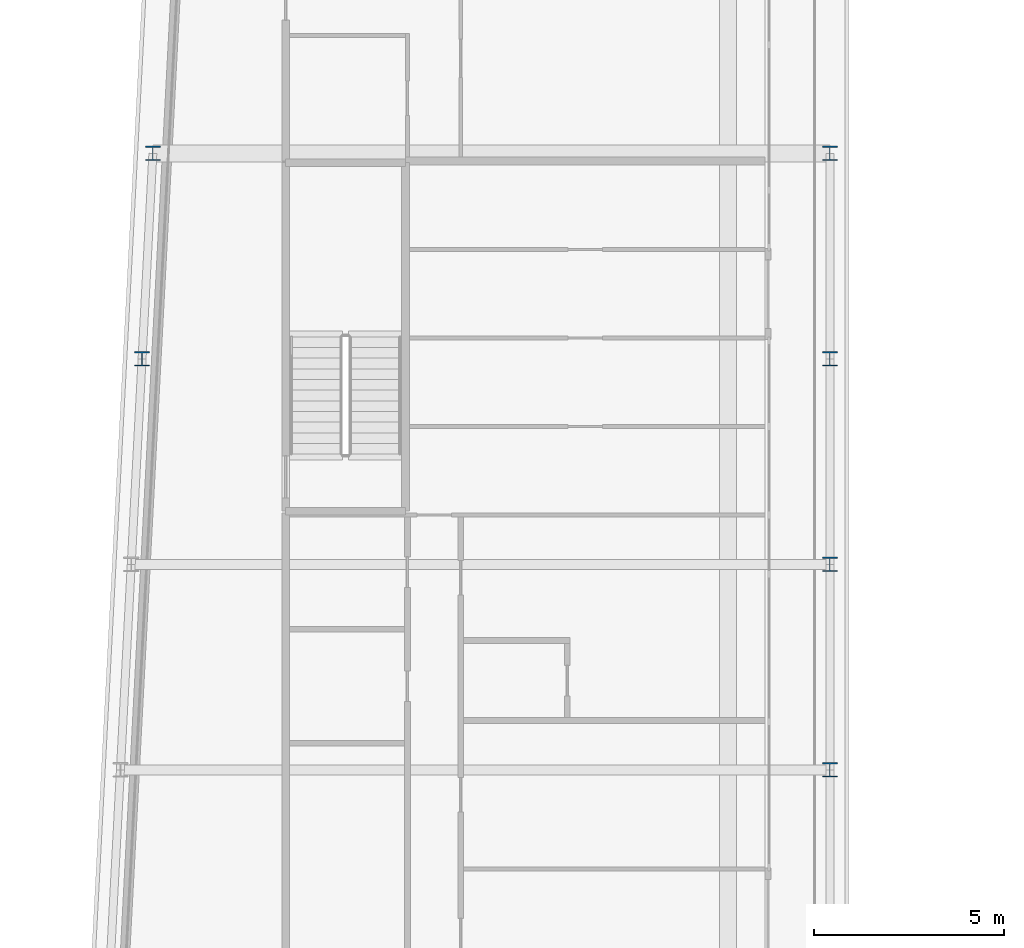
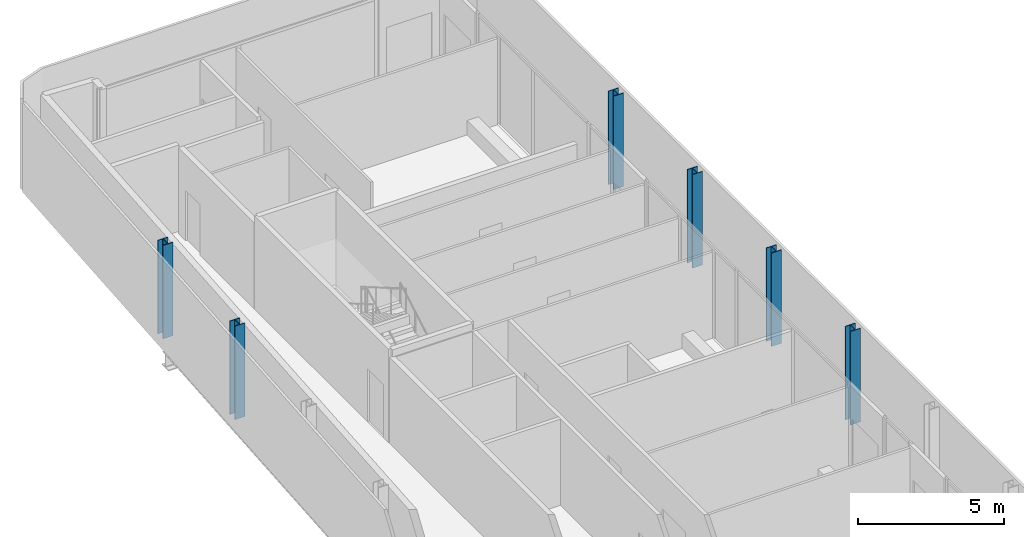
# One storey, part 4 of 21: 6 columns.
"""IFC4 building model written with IfcOpenShell, lengths in metres."""

from ifc_helpers import new_model, si_unit, direction, frame, origin, origin_2d, place, context, subcontext, project, spatial, i_section, extrude, material, material_profile, profile_set, type_object, element, save


model = new_model("IFC4")

# Units and contexts
model_context = context("Model", 3, precision=1e-05, world=origin(), true_north=direction((0.0, 1.0)))
body_context = subcontext(model_context, "Body", "Model", "MODEL_VIEW")
ifc_project = project(units=[si_unit("LENGTHUNIT", "METRE"), si_unit("AREAUNIT", "SQUARE_METRE"), si_unit("VOLUMEUNIT", "CUBIC_METRE"), si_unit("PLANEANGLEUNIT", "RADIAN"), si_unit("MASSUNIT", "GRAM", prefix="KILO")], contexts=[model_context])

# Site, building, storey
site_placement = place(None, origin())
site = spatial("IfcSite", under=ifc_project, at=site_placement, CompositionType="ELEMENT")
building_placement = place(site_placement, origin())
building = spatial("IfcBuilding", under=site, at=building_placement, Name="Kheshtan School and Residences Tower", CompositionType="ELEMENT")
storey_placement = place(building_placement, frame((0.0, 0.0, 317.60009765625)))
storey = spatial("IfcBuildingStorey", under=building, at=storey_placement, Name="L75", CompositionType="ELEMENT", Elevation=317.60009765625)

# Columns
ifc_material = material(Name="Steel ASTM A992 Grade 50", Category="steel")
ifc_material_profile = material_profile(ifc_material, i_section(OverallWidth=0.39501953125, OverallDepth=0.3798828125, WebThickness=0.018798828125, FlangeThickness=0.0302734375, FilletRadius=0.011474609375, at=origin_2d()), Name="W360x237")
ifc_profile_set = profile_set([ifc_material_profile], Name="Steel ASTM A992 Grade 50")
column_type = type_object("IfcColumnType", Name="Column C5 W360x237 ASTM A992 Grade 50", PredefinedType="COLUMN", material=ifc_profile_set)
for number, where, z_axis, x_axis, name in (
    (1, (47.60009765625, 72.60009765625, 0.0), (0.0, 0.0, 1.0), (1.0, 0.0, 0.0), "Column C087"),
    (2, (47.60009765625, 78.0, 0.0), (0.0, 0.0, 1.0), (1.0, 0.0, 0.0), "Column C089"),
    (3, (29.527099609375, 83.39990234375, 0.0), (0.0, 0.0, 1.0), (1.0, 0.0, 0.0), "Column C090"),
    (4, (47.60009765625, 83.39990234375, 0.0), (0.0, 0.0, 1.0), (1.0, 0.0, 0.0), "Column C091"),
    (5, (29.81103515625, 88.800048828125, 0.0), (0.0, 0.0, 1.0), (1.0, 0.0, 0.0), "Column C098"),
    (6, (47.60009765625, 88.800048828125, 0.0), (0.0, 0.0, 1.0), (1.0, 0.0, 0.0), "Column C099"),
):
    element("IfcColumn", number, at=place(storey_placement, frame(where, z_axis=z_axis, x_axis=x_axis)), inside=storey, type_object=column_type, Name=name, PredefinedType="COLUMN", context=body_context, shape_type="SweptSolid", body=[
        extrude(i_section(OverallWidth=0.39501953125, OverallDepth=0.3798828125, WebThickness=0.018798828125, FlangeThickness=0.0302734375, FilletRadius=0.011474609375, at=origin_2d()), origin(), (0.0, 0.0, 1.0), 3.89990234375),
    ])

save(model, "model.ifc")
